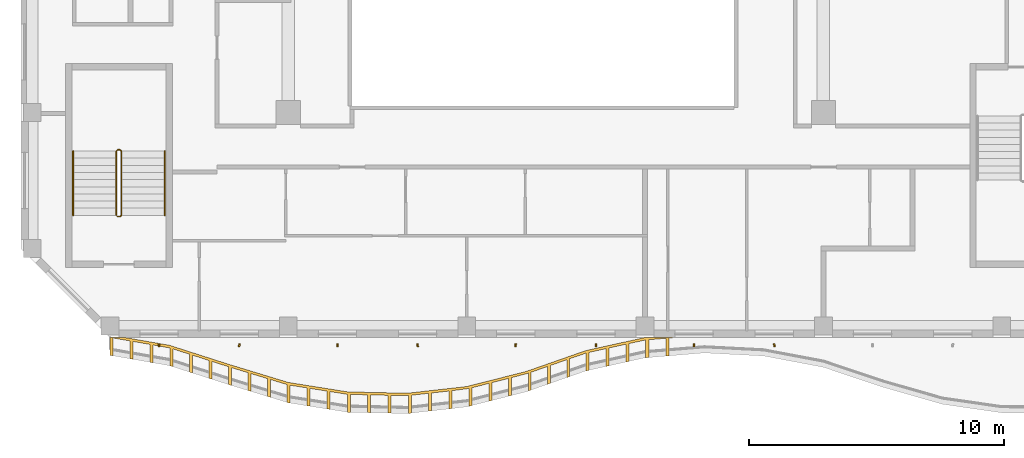
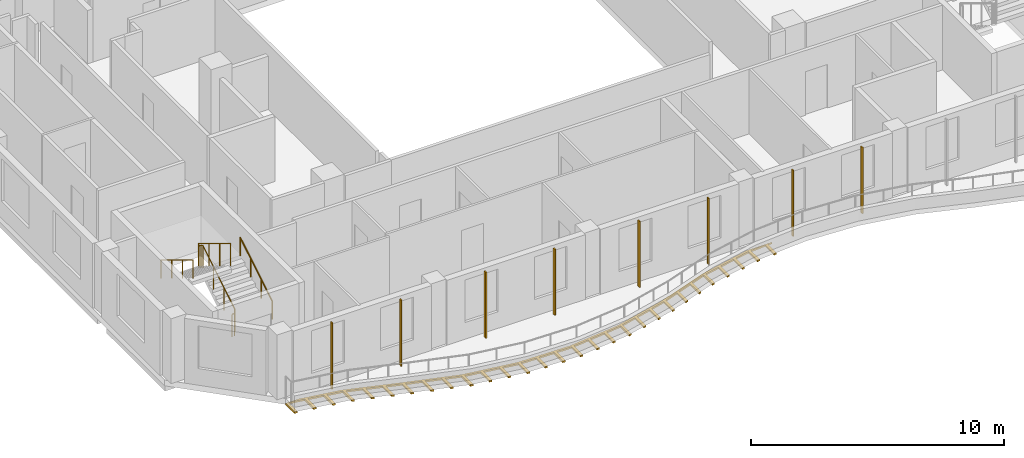
# One storey, part 13 of 19: 9 shading devices, 3 railings.
"""IFC4 building model written with IfcOpenShell, lengths in metres."""

from ifc_helpers import new_model, si_unit, direction, frame, origin, origin_2d, place, context, subcontext, project, spatial, polyline, rectangle, circle, outline, extrude, source, transform, mapped, material, layer, layer_set, material_profile, profile_set, type_object, element, save


model = new_model("IFC4")

# Units and contexts
model_context = context("Model", 3, precision=1e-05, world=origin(), true_north=direction((0.0, 1.0)))
body_context = subcontext(model_context, "Body", "Model", "MODEL_VIEW")
ifc_project = project(units=[si_unit("LENGTHUNIT", "METRE"), si_unit("AREAUNIT", "SQUARE_METRE"), si_unit("VOLUMEUNIT", "CUBIC_METRE"), si_unit("PLANEANGLEUNIT", "RADIAN"), si_unit("MASSUNIT", "GRAM", prefix="KILO")], contexts=[model_context])

# Site, building, storey
site_placement = place(None, origin())
site = spatial("IfcSite", under=ifc_project, at=site_placement, CompositionType="ELEMENT")
building_placement = place(site_placement, origin())
building = spatial("IfcBuilding", under=site, at=building_placement, Name="Kilnfold Tower and Market Hall", CompositionType="ELEMENT")
storey_placement = place(building_placement, frame((0.0, 0.0, 242.39990234375)))
storey = spatial("IfcBuildingStorey", under=building, at=storey_placement, Name="L58", CompositionType="ELEMENT", Elevation=242.39990234375)

# Railings
ifc_material_1 = material(Name="Stainless steel 316", Category="steel")
railing_type_1 = type_object("IfcRailingType", Name="CORE STAIR GUARD 1100", PredefinedType="GUARDRAIL", material=ifc_material_1)
railing_1_placement = place(storey_placement, frame((-15.699951171875, -13.75, 0.0)))
element("IfcRailing", 1, at=railing_1_placement, inside=storey, type_object=railing_type_1, Name="L58 ST3 stair guard 1", PredefinedType="GUARDRAIL", context=body_context, shape_type="SweptSolid", body=[
    extrude(circle(Radius=0.02392578125, at=origin_2d()), frame((0.0, 0.0, 1.076171875), z_axis=(1.0, 0.0, 0.0), x_axis=(0.0, 1.0, 0.0)), (0.0, 0.0, 1.0), 0.099853515625),
    extrude(circle(Radius=0.02392578125, at=origin_2d()), frame((0.099853515625, 0.0, 1.076171875), z_axis=(0.271562723297, 0.271562723297, 0.923313259209), x_axis=(-0.707106781187, 0.707106781187, 0.0)), (0.0, 0.0, 1.0), 0.184326171875),
    extrude(circle(Radius=0.02392578125, at=origin_2d()), frame((0.14990234375, 0.050048828125, 1.24609375), z_axis=(0.0, 0.85478489116, 0.518982456201), x_axis=(-1.0, 0.0, 0.0)), (0.0, 0.0, 1.0), 2.9482421875),
    extrude(circle(Radius=0.02392578125, at=origin_2d()), frame((0.14990234375, 2.570068359375, 2.7763671875), z_axis=(-0.707106781187, 0.707106781187, 0.0), x_axis=(-0.707106781187, -0.707106781187, 0.0)), (0.0, 0.0, 1.0), 0.07080078125),
    extrude(circle(Radius=0.02392578125, at=origin_2d()), frame((0.099853515625, 2.6201171875, 2.7763671875), z_axis=(-1.0, 0.0, 0.0), x_axis=(0.0, -1.0, 0.0)), (0.0, 0.0, 1.0), 0.099853515625),
    extrude(circle(Radius=0.02392578125, at=origin_2d()), frame((0.0, 2.6201171875, 2.7763671875), z_axis=(-0.271895245746, -0.271895245746, 0.923117517265), x_axis=(0.707106781187, -0.707106781187, 0.0)), (0.0, 0.0, 1.0), 0.18408203125),
    extrude(circle(Radius=0.02392578125, at=origin_2d()), frame((-0.050048828125, 2.570068359375, 2.9462890625), z_axis=(0.0, -0.85478489116, 0.518982456201), x_axis=(1.0, 0.0, 0.0)), (0.0, 0.0, 1.0), 2.9482421875),
    extrude(circle(Radius=0.02099609375, at=origin_2d()), origin(), (0.0, 0.0, 1.0), 1.052001953125),
    extrude(circle(Radius=0.02099609375, at=origin_2d()), frame((0.099853515625, 0.0, 0.0)), (0.0, 0.0, 1.0), 1.052001953125),
    extrude(circle(Radius=0.02099609375, at=origin_2d()), frame((0.14990234375, 0.050048828125, 0.170166015625)), (0.0, 0.0, 1.0), 1.052001953125),
    extrude(circle(Radius=0.02099609375, at=origin_2d()), frame((0.14990234375, 0.89013671875, 0.68017578125)), (0.0, 0.0, 1.0), 1.052001953125),
    extrude(circle(Radius=0.02099609375, at=origin_2d()), frame((0.14990234375, 1.72998046875, 1.190185546875)), (0.0, 0.0, 1.0), 1.052001953125),
    extrude(circle(Radius=0.02099609375, at=origin_2d()), frame((0.14990234375, 2.570068359375, 1.7001953125)), (0.0, 0.0, 1.0), 1.052001953125),
    extrude(circle(Radius=0.02099609375, at=origin_2d()), frame((0.099853515625, 2.6201171875, 1.7001953125)), (0.0, 0.0, 1.0), 1.052001953125),
    extrude(circle(Radius=0.02099609375, at=origin_2d()), frame((0.0, 2.6201171875, 1.7001953125)), (0.0, 0.0, 1.0), 1.052001953125),
    extrude(circle(Radius=0.02099609375, at=origin_2d()), frame((-0.050048828125, 2.570068359375, 1.8701171875)), (0.0, 0.0, 1.0), 1.052001953125),
    extrude(circle(Radius=0.02099609375, at=origin_2d()), frame((-0.050048828125, 1.72998046875, 2.380126953125)), (0.0, 0.0, 1.0), 1.052001953125),
    extrude(circle(Radius=0.02099609375, at=origin_2d()), frame((-0.050048828125, 0.89013671875, 2.89013671875)), (0.0, 0.0, 1.0), 1.052001953125),
    extrude(circle(Radius=0.02099609375, at=origin_2d()), frame((-0.050048828125, 0.050048828125, 3.400146484375)), (0.0, 0.0, 1.0), 1.052001953125),
])
ifc_material_2 = material(Name="Stainless steel 316", Category="steel")
railing_type_2 = type_object("IfcRailingType", Name="CORE STAIR HANDRAIL 900", PredefinedType="HANDRAIL", material=ifc_material_2)
railing_2_placement = place(storey_placement, frame((-13.85009765625, -13.699951171875, 0.170166015625)))
element("IfcRailing", 2, at=railing_2_placement, inside=storey, type_object=railing_type_2, Name="L58 ST3 stair handrail 1", PredefinedType="HANDRAIL", context=body_context, shape_type="SweptSolid", body=[
    extrude(circle(Radius=0.02392578125, at=origin_2d()), frame((0.0, 0.0, 0.8759765625), z_axis=(0.0, 0.85478489116, 0.518982456201), x_axis=(-1.0, 0.0, 0.0)), (0.0, 0.0, 1.0), 2.9482421875),
    extrude(circle(Radius=0.02099609375, at=origin_2d()), origin(), (0.0, 0.0, 1.0), 0.851806640625),
    extrude(circle(Radius=0.02099609375, at=origin_2d()), frame((0.0, 0.840087890625, 0.510009765625)), (0.0, 0.0, 1.0), 0.851806640625),
    extrude(circle(Radius=0.02099609375, at=origin_2d()), frame((0.0, 1.679931640625, 1.02001953125)), (0.0, 0.0, 1.0), 0.851806640625),
    extrude(circle(Radius=0.02099609375, at=origin_2d()), frame((0.0, 2.52001953125, 1.530029296875)), (0.0, 0.0, 1.0), 0.851806640625),
])
railing_3_placement = place(storey_placement, frame((-17.449951171875, -11.179931640625, 1.8701171875)))
element("IfcRailing", 3, at=railing_3_placement, inside=storey, type_object=railing_type_2, Name="L58 ST3 stair handrail 2", PredefinedType="HANDRAIL", context=body_context, shape_type="SweptSolid", body=[
    extrude(circle(Radius=0.02392578125, at=origin_2d()), frame((0.0, 0.0, 0.8759765625), z_axis=(0.0, -0.85478489116, 0.518982456201), x_axis=(1.0, 0.0, 0.0)), (0.0, 0.0, 1.0), 2.9482421875),
    extrude(circle(Radius=0.02099609375, at=origin_2d()), origin(), (0.0, 0.0, 1.0), 0.851806640625),
    extrude(circle(Radius=0.02099609375, at=origin_2d()), frame((0.0, -0.840087890625, 0.510009765625)), (0.0, 0.0, 1.0), 0.851806640625),
    extrude(circle(Radius=0.02099609375, at=origin_2d()), frame((0.0, -1.679931640625, 1.02001953125)), (0.0, 0.0, 1.0), 0.851806640625),
    extrude(circle(Radius=0.02099609375, at=origin_2d()), frame((0.0, -2.52001953125, 1.530029296875)), (0.0, 0.0, 1.0), 0.851806640625),
])

# Shading devices
ifc_material_3 = material(Name="Terracotta", Category="masonry")
ifc_material_profile = material_profile(ifc_material_3, rectangle(XDim=0.06005859375, YDim=0.1201171875, at=origin_2d()), Name="BAG 60x120")
ifc_profile_set = profile_set([ifc_material_profile], Name="Terracotta")
shading_device_type_1 = type_object("IfcShadingDeviceType", Name="BAGUETTE", PredefinedType="USERDEFINED", material=ifc_profile_set)
shared_shape_1 = source(origin(), body_context, "Body", "SweptSolid", [
    extrude(rectangle(XDim=0.06005859375, YDim=0.1201171875, at=origin_2d()), origin(), (0.0, 0.0, 1.0), 3.18017578125),
])
for number, where, z_axis, x_axis, name in (
    (4, (-14.074951171875, -18.800048828125, 0.0), (0.0, 0.0, 1.0), (0.999882616693, -0.015321645973, 0.0), "Terracotta baguette L58 S"),
    (5, (-10.925048828125, -18.800048828125, 0.0), (0.0, 0.0, 1.0), (0.990289675151, -0.139019276681, 0.0), "Terracotta baguette L58 S"),
    (6, (-7.074951171875, -18.800048828125, 0.0), (0.0, 0.0, 1.0), (0.999882616693, 0.015321645973, 0.0), "Terracotta baguette L58 S"),
    (7, (-3.925048828125, -18.800048828125, 0.0), (0.0, 0.0, 1.0), (0.990289675151, 0.139019276681, 0.0), "Terracotta baguette L58 S"),
    (8, (-0.074951171875, -18.800048828125, 0.0), (0.0, 0.0, 1.0), (0.999882616693, -0.015321645973, 0.0), "Terracotta baguette L58 S"),
    (9, (3.074951171875, -18.800048828125, 0.0), (0.0, 0.0, 1.0), (0.990289675151, -0.139019276681, 0.0), "Terracotta baguette L58 S"),
    (10, (6.925048828125, -18.800048828125, 0.0), (0.0, 0.0, 1.0), (0.999882616693, 0.015321645973, 0.0), "Terracotta baguette L58 S"),
    (11, (10.074951171875, -18.800048828125, 0.0), (0.0, 0.0, 1.0), (0.990289675151, 0.139019276681, 0.0), "Terracotta baguette L58 S"),
):
    element("IfcShadingDevice", number, at=place(storey_placement, frame(where, z_axis=z_axis, x_axis=x_axis)), inside=storey, type_object=shading_device_type_1, Name=name, ObjectType="BAGUETTE", PredefinedType="USERDEFINED", context=body_context, shape_type="MappedRepresentation", body=[
        mapped(shared_shape_1, transform((0.0, 0.0, 0.0))),
    ])
ifc_material_4 = material(Name="Bronze anodised aluminium", Category="aluminium")
ifc_layer = layer(ifc_material_4, 0.080078125)
ifc_layer_set = layer_set([ifc_layer], Name="Bronze anodised aluminium")
shading_device_type_2 = type_object("IfcShadingDeviceType", Name="BRONZE SLAT SOFFIT 80", PredefinedType="USERDEFINED", material=ifc_layer_set)
shared_shape_2 = source(origin(), body_context, "Body", "SweptSolid", [
    extrude(outline(polyline([(-16.0, -18.5), (-15.39599609375, -18.5), (-13.666748046875, -18.80126953125), (-11.333251953125, -19.5498046875), (-9.0, -20.259765625), (-6.666748046875, -20.630126953125), (-4.333251953125, -20.682861328125), (-2.0, -20.42041015625), (0.333251953125, -19.828369140625), (2.666748046875, -19.0126953125), (4.9775390625, -18.5), (6.1484375, -18.5), (5.9453125, -18.516845703125), (5.9453125, -19.216796875), (5.82568359375, -19.226806640625), (5.82568359375, -18.526611328125), (5.14794921875, -18.582763671875), (5.14794921875, -19.28271484375), (5.0283203125, -19.292724609375), (5.0283203125, -18.5927734375), (4.364013671875, -18.736083984375), (4.364013671875, -19.436279296875), (4.246826171875, -19.462158203125), (4.246826171875, -18.76220703125), (3.5830078125, -18.909423828125), (3.5830078125, -19.609619140625), (3.4658203125, -19.635498046875), (3.4658203125, -18.935546875), (2.802001953125, -19.082763671875), (2.802001953125, -19.78271484375), (2.684814453125, -19.808837890625), (2.684814453125, -19.10888671875), (2.042236328125, -19.3310546875), (2.042236328125, -20.031005859375), (1.928955078125, -20.070556640625), (1.928955078125, -19.37060546875), (1.287109375, -19.594970703125), (1.287109375, -20.294921875), (1.173828125, -20.334716796875), (1.173828125, -19.634521484375), (0.531982421875, -19.85888671875), (0.531982421875, -20.558837890625), (0.418701171875, -20.598388671875), (0.418701171875, -19.8984375), (-0.23828125, -20.073486328125), (-0.23828125, -20.7734375), (-0.3544921875, -20.802978515625), (-0.3544921875, -20.102783203125), (-1.013671875, -20.270263671875), (-1.013671875, -20.97021484375), (-1.1298828125, -20.999755859375), (-1.1298828125, -20.2998046875), (-1.7890625, -20.467041015625), (-1.7890625, -21.1669921875), (-1.905517578125, -21.196533203125), (-1.905517578125, -20.49658203125), (-2.57861328125, -20.585693359375), (-2.57861328125, -21.28564453125), (-2.697998046875, -21.299072265625), (-2.697998046875, -20.59912109375), (-3.373779296875, -20.6748046875), (-3.373779296875, -21.375), (-3.492919921875, -21.38818359375), (-3.492919921875, -20.688232421875), (-4.168701171875, -20.764404296875), (-4.168701171875, -21.46435546875), (-4.2880859375, -21.477783203125), (-4.2880859375, -20.777587890625), (-4.967529296875, -20.7685546875), (-4.967529296875, -21.468505859375), (-5.08740234375, -21.4658203125), (-5.08740234375, -20.765869140625), (-5.767333984375, -20.75048828125), (-5.767333984375, -21.450439453125), (-5.8662109375, -21.4482421875), (-5.88720703125, -21.44775390625), (-5.88720703125, -20.747802734375), (-6.567138671875, -20.732421875), (-6.567138671875, -21.432373046875), (-6.666748046875, -21.43017578125), (-6.686767578125, -21.427001953125), (-6.686767578125, -20.726806640625), (-7.3583984375, -20.620361328125), (-7.3583984375, -21.3203125), (-7.476806640625, -21.301513671875), (-7.476806640625, -20.6015625), (-8.1484375, -20.494873046875), (-8.1484375, -21.19482421875), (-8.26708984375, -21.176025390625), (-8.26708984375, -20.47607421875), (-8.938720703125, -20.369384765625), (-8.938720703125, -21.0693359375), (-9.0, -21.059814453125), (-9.055419921875, -21.04296875), (-9.055419921875, -20.343017578125), (-9.705810546875, -20.14501953125), (-9.705810546875, -20.844970703125), (-9.82080078125, -20.81005859375), (-9.82080078125, -20.110107421875), (-10.47119140625, -19.912109375), (-10.47119140625, -20.612060546875), (-10.586181640625, -20.5771484375), (-10.586181640625, -19.877197265625), (-11.236572265625, -19.67919921875), (-11.236572265625, -20.379150390625), (-11.351318359375, -20.343994140625), (-11.351318359375, -19.643798828125), (-11.998779296875, -19.436279296875), (-11.998779296875, -20.13623046875), (-12.113037109375, -20.099609375), (-12.113037109375, -19.399658203125), (-12.760498046875, -19.19189453125), (-12.760498046875, -19.891845703125), (-12.875, -19.855224609375), (-12.875, -19.1552734375), (-13.5224609375, -18.947509765625), (-13.5224609375, -19.6474609375), (-13.63671875, -19.61083984375), (-13.63671875, -18.910888671875), (-14.305419921875, -18.789794921875), (-14.305419921875, -19.489990234375), (-14.423583984375, -19.46923828125), (-14.423583984375, -18.769287109375), (-15.093505859375, -18.652587890625), (-15.093505859375, -19.352783203125), (-15.2119140625, -19.33203125), (-15.2119140625, -18.632080078125), (-15.8818359375, -18.515380859375), (-15.8818359375, -19.21533203125), (-16.0, -19.19482421875), (-16.0, -18.5)])), origin(), (0.0, 0.0, 1.0), 0.079833984375),
])
shading_device_placement = place(storey_placement, frame((0.0, 0.0, -0.2998046875)))
element("IfcShadingDevice", 12, at=shading_device_placement, inside=storey, type_object=shading_device_type_2, Name="Balcony soffit slats L58", ObjectType="SLAT", PredefinedType="USERDEFINED", context=body_context, shape_type="MappedRepresentation", body=[
    mapped(shared_shape_2, transform((0.0, 0.0, 0.0))),
])

save(model, "model.ifc")
